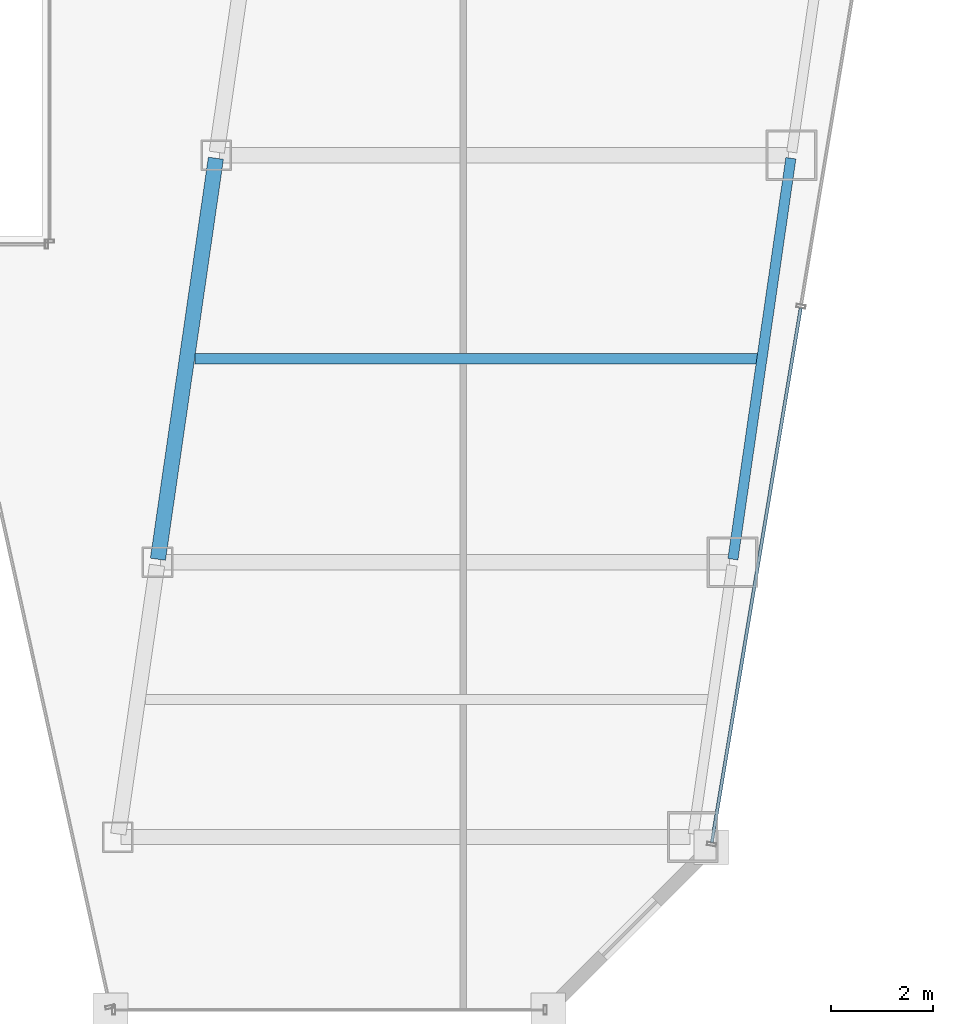
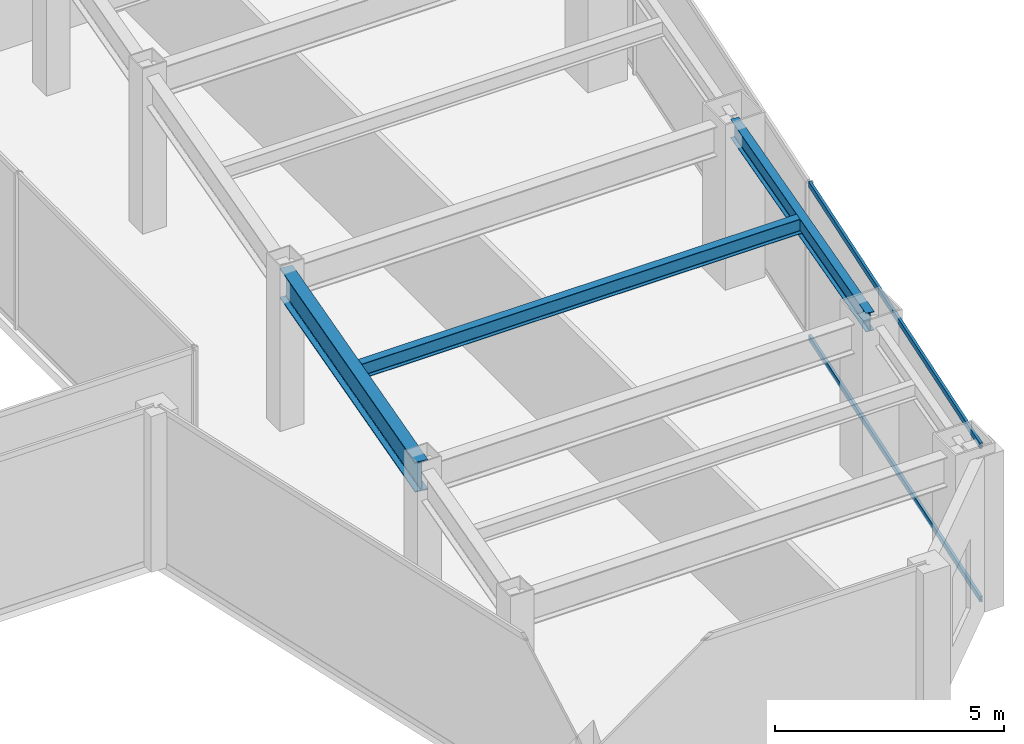
# One storey, part 16 of 37: 3 beams, 2 members, 1 element without a shape of its own.
"""IFC4 building model written with IfcOpenShell, lengths in metres."""

from ifc_helpers import new_model, si_unit, direction, frame, origin, origin_2d, place, context, subcontext, project, spatial, hollow_rectangle, i_section, extrude, material, material_profile, profile_set, type_object, element, aggregate, save


model = new_model("IFC4")

# Units and contexts
model_context = context("Model", 3, precision=1e-05, world=origin(), true_north=direction((0.0, 1.0)))
body_context = subcontext(model_context, "Body", "Model", "MODEL_VIEW")
ifc_project = project(units=[si_unit("LENGTHUNIT", "METRE"), si_unit("AREAUNIT", "SQUARE_METRE"), si_unit("VOLUMEUNIT", "CUBIC_METRE"), si_unit("PLANEANGLEUNIT", "RADIAN"), si_unit("MASSUNIT", "GRAM", prefix="KILO")], contexts=[model_context])

# Site, building, storey
site_placement = place(None, origin())
site = spatial("IfcSite", under=ifc_project, at=site_placement, CompositionType="ELEMENT")
building_placement = place(site_placement, origin())
building = spatial("IfcBuilding", under=site, at=building_placement, Name="Saevonmaru Cultural Tower", CompositionType="ELEMENT")
storey_placement = place(building_placement, frame((0.0, 0.0, 106.0)))
storey = spatial("IfcBuildingStorey", under=building, at=storey_placement, Name="L22", CompositionType="ELEMENT", Elevation=106.0)

# Beams
ifc_material_1 = material(Name="Steel SM420", Category="steel")
ifc_material_profile_1 = material_profile(ifc_material_1, i_section(OverallWidth=0.300048828125, OverallDepth=0.800048828125, WebThickness=0.013916015625, FlangeThickness=0.02587890625, FilletRadius=0.028076171875, at=origin_2d()), Name="H-800x300x14x26")
ifc_profile_set_1 = profile_set([ifc_material_profile_1], Name="Steel SM420")
beam_type_1 = type_object("IfcBeamType", Name="BM-G-H800", PredefinedType="BEAM", material=ifc_profile_set_1)
beam_1_placement = place(storey_placement, frame((38.08056640625, 16.059326171875, 3.75), z_axis=(0.143022161059, 0.989719486241, 0.0), x_axis=(-0.989719486241, 0.143022161059, 0.0)))
element("IfcBeam", 1, at=beam_1_placement, inside=storey, type_object=beam_type_1, Name="L22 East Atrium Girder 2", PredefinedType="BEAM", context=body_context, shape_type="SweptSolid", body=[
    extrude(i_section(OverallWidth=0.300048828125, OverallDepth=0.800048828125, WebThickness=0.013916015625, FlangeThickness=0.02587890625, FilletRadius=0.028076171875, at=origin_2d()), origin(), (0.0, 0.0, 1.0), 7.963134765625),
])
ifc_material_2 = material(Name="Steel SM355", Category="steel")
ifc_material_profile_2 = material_profile(ifc_material_2, i_section(OverallWidth=0.199951171875, OverallDepth=0.39990234375, WebThickness=0.008056640625, FlangeThickness=0.012939453125, FilletRadius=0.01611328125, at=origin_2d()), Name="H-400x200x8x13")
ifc_profile_set_2 = profile_set([ifc_material_profile_2], Name="Steel SM355")
beam_type_2 = type_object("IfcBeamType", Name="BM-J-H400", PredefinedType="JOIST", material=ifc_profile_set_2)
beam_2_placement = place(storey_placement, frame((38.80810546875, 20.0, 3.949951171875), z_axis=(1.0, 0.0, 0.0), x_axis=(0.0, 1.0, 0.0)))
element("IfcBeam", 2, at=beam_2_placement, inside=storey, type_object=beam_type_2, Name="L22 East Wing Floor Joist 2", PredefinedType="JOIST", context=body_context, shape_type="SweptSolid", body=[
    extrude(i_section(OverallWidth=0.199951171875, OverallDepth=0.39990234375, WebThickness=0.008056640625, FlangeThickness=0.012939453125, FilletRadius=0.01611328125, at=origin_2d()), origin(), (0.0, 0.0, 1.0), 11.081787109375),
])
ifc_material_profile_3 = material_profile(ifc_material_2, i_section(OverallWidth=0.199951171875, OverallDepth=0.5, WebThickness=0.010009765625, FlangeThickness=0.01611328125, FilletRadius=0.02001953125, at=origin_2d()), Name="H-500x200x10x16")
ifc_profile_set_3 = profile_set([ifc_material_profile_3], Name="Steel SM355")
beam_type_3 = type_object("IfcBeamType", Name="BM-SP-H500", PredefinedType="SPANDREL", material=ifc_profile_set_3)
beam_3_placement = place(storey_placement, frame((49.380615234375, 16.059326171875, 3.89990234375), z_axis=(0.142992129437, 0.989723825579, 0.0), x_axis=(-0.989723825579, 0.142992129437, 0.0)))
element("IfcBeam", 3, at=beam_3_placement, inside=storey, type_object=beam_type_3, Name="L22 East Splayed Spandrel 2", PredefinedType="SPANDREL", context=body_context, shape_type="SweptSolid", body=[
    extrude(i_section(OverallWidth=0.199951171875, OverallDepth=0.5, WebThickness=0.010009765625, FlangeThickness=0.01611328125, FilletRadius=0.02001953125, at=origin_2d()), origin(), (0.0, 0.0, 1.0), 7.963134765625),
])

# Curtain wall, members
ifc_material_3 = material(Name="Satin Bronze Anodised Aluminium", Category="aluminium")
curtain_wall_type = type_object("IfcCurtainWallType", Name="CW-TYP-A", PredefinedType="NOTDEFINED", material=ifc_material_3)
curtain_wall_placement = place(storey_placement, origin())
curtain_wall = element("IfcCurtainWall", 4, at=curtain_wall_placement, inside=storey, type_object=curtain_wall_type, Name="L22 Unitised Curtain Wall E8", PredefinedType="NOTDEFINED")
ifc_material_profile_4 = material_profile(ifc_material_3, hollow_rectangle(XDim=0.06494140625, YDim=0.14990234375, WallThickness=0.00390625, at=origin_2d()), Name="ALU-TRAN-150x65x4")
ifc_profile_set_4 = profile_set([ifc_material_profile_4], Name="Satin Bronze Anodised Aluminium")
member_type = type_object("IfcMemberType", Name="TR-CW-150x65", PredefinedType="USERDEFINED", material=ifc_profile_set_4)
member_1_placement = place(storey_placement, frame((48.96630859375, 10.4912109375, 0.032470703125), z_axis=(0.163990079074, 0.9864619881, 0.0), x_axis=(-0.9864619881, 0.163990079074, 0.0)))
member_1 = element("IfcMember", 5, at=member_1_placement, type_object=member_type, Name="CW-TW-L22-E8 transom 1.1", ObjectType="TRANSOM", PredefinedType="USERDEFINED", context=body_context, shape_type="SweptSolid", body=[
    extrude(hollow_rectangle(XDim=0.06494140625, YDim=0.14990234375, WallThickness=0.00390625, at=origin_2d()), origin(), (0.0, 0.0, 1.0), 10.650634765625),
])
member_2_placement = place(storey_placement, frame((48.96630859375, 10.4912109375, 4.117431640625), z_axis=(0.163990079074, 0.9864619881, 0.0), x_axis=(-0.9864619881, 0.163990079074, 0.0)))
member_2 = element("IfcMember", 6, at=member_2_placement, type_object=member_type, Name="CW-TW-L22-E8 transom 1.2", ObjectType="TRANSOM", PredefinedType="USERDEFINED", context=body_context, shape_type="SweptSolid", body=[
    extrude(hollow_rectangle(XDim=0.06494140625, YDim=0.14990234375, WallThickness=0.00390625, at=origin_2d()), origin(), (0.0, 0.0, 1.0), 10.650634765625),
])
aggregate(curtain_wall, [member_1, member_2])

save(model, "model.ifc")
